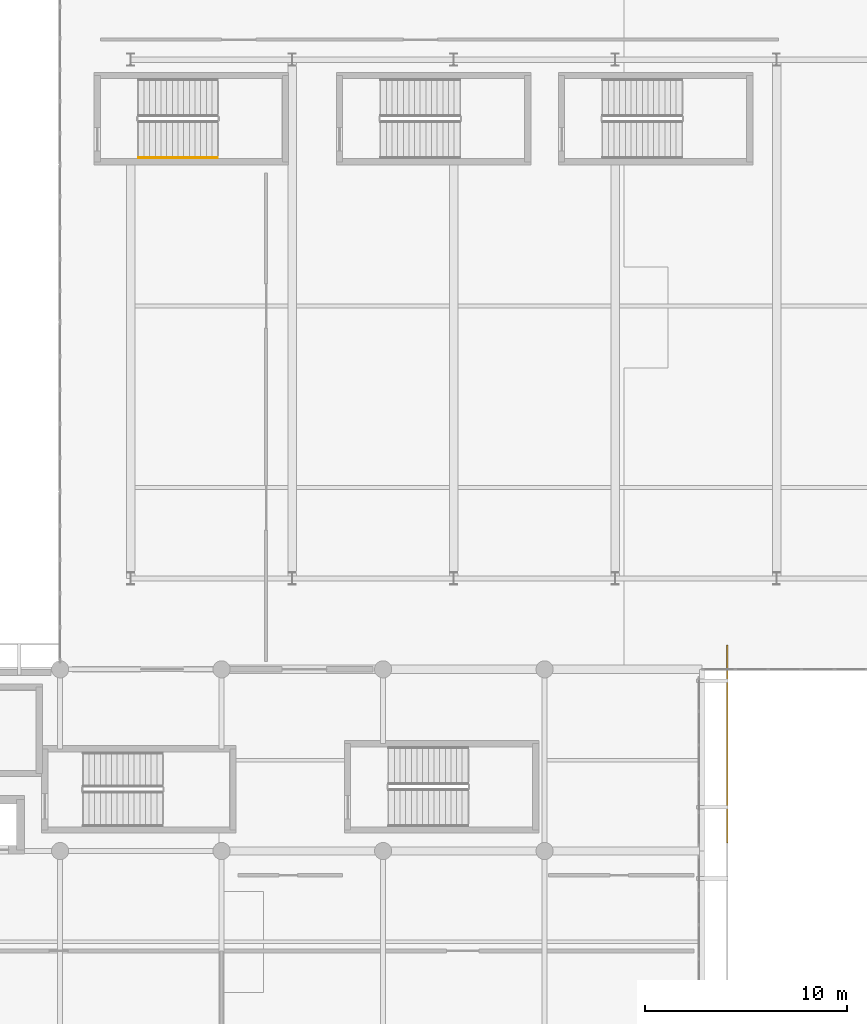
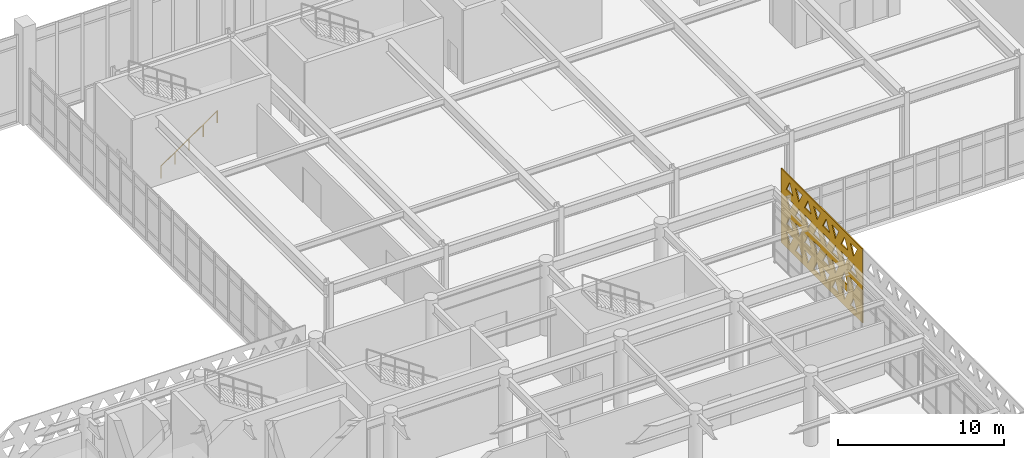
# One storey, part 79 of 84: 1 covering, 1 railing.
"""IFC4 building model written with IfcOpenShell, lengths in metres."""

from ifc_helpers import new_model, si_unit, direction, frame, origin, origin_2d, place, context, subcontext, project, spatial, polyline, circle, outline, extrude, material, layer, layer_set, type_object, element, save


model = new_model("IFC4")

# Units and contexts
model_context = context("Model", 3, precision=1e-05, world=origin(), true_north=direction((0.0, 1.0)))
body_context = subcontext(model_context, "Body", "Model", "MODEL_VIEW")
ifc_project = project(units=[si_unit("LENGTHUNIT", "METRE"), si_unit("AREAUNIT", "SQUARE_METRE"), si_unit("VOLUMEUNIT", "CUBIC_METRE"), si_unit("PLANEANGLEUNIT", "RADIAN"), si_unit("MASSUNIT", "GRAM", prefix="KILO")], contexts=[model_context])

# Site, building, storey
site_placement = place(None, origin())
site = spatial("IfcSite", under=ifc_project, at=site_placement, CompositionType="ELEMENT")
building_placement = place(site_placement, origin())
building = spatial("IfcBuilding", under=site, at=building_placement, Name="Tlacozan Convention Centre", CompositionType="ELEMENT")
storey_placement = place(building_placement, frame((0.0, 0.0, 6.0)))
storey = spatial("IfcBuildingStorey", under=building, at=storey_placement, Name="L01", CompositionType="ELEMENT", Elevation=6.0)

# Railing
ifc_material_1 = material(Name="Architectural Painted Galvanised Steel Railing", Category="steel")
railing_type = type_object("IfcRailingType", Name="Stair Wall Handrail 900", PredefinedType="HANDRAIL", material=ifc_material_1)
railing_placement = place(storey_placement, frame((91.8798828125, 52.35009765625, 0.179931640625)))
element("IfcRailing", 1, at=railing_placement, inside=storey, type_object=railing_type, Name="L01 ST-06 stair handrail 1", PredefinedType="HANDRAIL", context=body_context, shape_type="SweptSolid", body=[
    extrude(circle(Radius=0.02392578125, at=origin_2d()), frame((0.0, 0.0, 0.8759765625), z_axis=(0.823567234665, 0.0, 0.567218661528), x_axis=(0.0, 1.0, 0.0)), (0.0, 0.0, 1.0), 4.760009765625),
    extrude(circle(Radius=0.02099609375, at=origin_2d()), origin(), (0.0, 0.0, 1.0), 0.851806640625),
    extrude(circle(Radius=0.02099609375, at=origin_2d()), frame((0.97998046875, 0.0, 0.675048828125)), (0.0, 0.0, 1.0), 0.851806640625),
    extrude(circle(Radius=0.02099609375, at=origin_2d()), frame((1.9599609375, 0.0, 1.35009765625)), (0.0, 0.0, 1.0), 0.851806640625),
    extrude(circle(Radius=0.02099609375, at=origin_2d()), frame((2.940185546875, 0.0, 2.02490234375)), (0.0, 0.0, 1.0), 0.851806640625),
    extrude(circle(Radius=0.02099609375, at=origin_2d()), frame((3.920166015625, 0.0, 2.699951171875)), (0.0, 0.0, 1.0), 0.851806640625),
])

# Covering
ifc_material_2 = material(Name="Toluca Fired Terracotta Masonry Solar Screen", Category="masonry")
ifc_layer = layer(ifc_material_2, 0.080078125)
ifc_layer_set = layer_set([ifc_layer], Name="Toluca Fired Terracotta Masonry Solar Screen")
covering_type = type_object("IfcCoveringType", Name="Terracotta Triangle Solar Screen 80", PredefinedType="USERDEFINED", material=ifc_layer_set)
covering_placement = place(storey_placement, frame((121.050048828125, 18.404296875, -0.10009765625), z_axis=(0.0, 0.0, 1.0), x_axis=(0.0, 1.0, 0.0)))
element("IfcCovering", 2, at=covering_placement, inside=storey, type_object=covering_type, Name="L01 Terracotta Triangle Screen 18", ObjectType="SCREEN", PredefinedType="USERDEFINED", context=body_context, shape_type="SweptSolid", body=[
    extrude(outline(polyline([(0.0, 0.0), (9.80078125, 0.0), (9.80078125, 5.4501953125), (0.0, 5.4501953125), (0.0, 0.0)]), holes=[polyline([(0.636474609375, 0.41796875), (1.46435546875, 0.41796875), (1.05029296875, 1.1845703125), (0.636474609375, 0.41796875)]), polyline([(1.736328125, 1.1845703125), (2.564453125, 1.1845703125), (2.150390625, 0.41796875), (1.736328125, 1.1845703125)]), polyline([(2.83642578125, 0.41796875), (3.664306640625, 0.41796875), (3.25048828125, 1.1845703125), (2.83642578125, 0.41796875)]), polyline([(3.936279296875, 1.1845703125), (4.764404296875, 1.1845703125), (4.350341796875, 0.41796875), (3.936279296875, 1.1845703125)]), polyline([(5.036376953125, 0.41796875), (5.864501953125, 0.41796875), (5.450439453125, 1.1845703125), (5.036376953125, 0.41796875)]), polyline([(6.136474609375, 1.1845703125), (6.96435546875, 1.1845703125), (6.55029296875, 0.41796875), (6.136474609375, 1.1845703125)]), polyline([(7.236328125, 0.41796875), (8.064453125, 0.41796875), (7.650390625, 1.1845703125), (7.236328125, 0.41796875)]), polyline([(8.33642578125, 1.1845703125), (9.164306640625, 1.1845703125), (8.75048828125, 0.41796875), (8.33642578125, 1.1845703125)]), polyline([(0.636474609375, 2.46728515625), (1.46435546875, 2.46728515625), (1.05029296875, 1.700439453125), (0.636474609375, 2.46728515625)]), polyline([(1.736328125, 1.700439453125), (2.564453125, 1.700439453125), (2.150390625, 2.46728515625), (1.736328125, 1.700439453125)]), polyline([(2.83642578125, 2.46728515625), (3.664306640625, 2.46728515625), (3.25048828125, 1.700439453125), (2.83642578125, 2.46728515625)]), polyline([(3.936279296875, 1.700439453125), (4.764404296875, 1.700439453125), (4.350341796875, 2.46728515625), (3.936279296875, 1.700439453125)]), polyline([(5.036376953125, 2.46728515625), (5.864501953125, 2.46728515625), (5.450439453125, 1.700439453125), (5.036376953125, 2.46728515625)]), polyline([(6.136474609375, 1.700439453125), (6.96435546875, 1.700439453125), (6.55029296875, 2.46728515625), (6.136474609375, 1.700439453125)]), polyline([(7.236328125, 2.46728515625), (8.064453125, 2.46728515625), (7.650390625, 1.700439453125), (7.236328125, 2.46728515625)]), polyline([(8.33642578125, 1.700439453125), (9.164306640625, 1.700439453125), (8.75048828125, 2.46728515625), (8.33642578125, 1.700439453125)]), polyline([(0.636474609375, 2.98291015625), (1.46435546875, 2.98291015625), (1.05029296875, 3.749755859375), (0.636474609375, 2.98291015625)]), polyline([(1.736328125, 3.749755859375), (2.564453125, 3.749755859375), (2.150390625, 2.98291015625), (1.736328125, 3.749755859375)]), polyline([(2.83642578125, 2.98291015625), (3.664306640625, 2.98291015625), (3.25048828125, 3.749755859375), (2.83642578125, 2.98291015625)]), polyline([(3.936279296875, 3.749755859375), (4.764404296875, 3.749755859375), (4.350341796875, 2.98291015625), (3.936279296875, 3.749755859375)]), polyline([(5.036376953125, 2.98291015625), (5.864501953125, 2.98291015625), (5.450439453125, 3.749755859375), (5.036376953125, 2.98291015625)]), polyline([(6.136474609375, 3.749755859375), (6.96435546875, 3.749755859375), (6.55029296875, 2.98291015625), (6.136474609375, 3.749755859375)]), polyline([(7.236328125, 2.98291015625), (8.064453125, 2.98291015625), (7.650390625, 3.749755859375), (7.236328125, 2.98291015625)]), polyline([(8.33642578125, 3.749755859375), (9.164306640625, 3.749755859375), (8.75048828125, 2.98291015625), (8.33642578125, 3.749755859375)]), polyline([(0.636474609375, 5.0322265625), (1.46435546875, 5.0322265625), (1.05029296875, 4.265625), (0.636474609375, 5.0322265625)]), polyline([(1.736328125, 4.265625), (2.564453125, 4.265625), (2.150390625, 5.0322265625), (1.736328125, 4.265625)]), polyline([(2.83642578125, 5.0322265625), (3.664306640625, 5.0322265625), (3.25048828125, 4.265625), (2.83642578125, 5.0322265625)]), polyline([(3.936279296875, 4.265625), (4.764404296875, 4.265625), (4.350341796875, 5.0322265625), (3.936279296875, 4.265625)]), polyline([(5.036376953125, 5.0322265625), (5.864501953125, 5.0322265625), (5.450439453125, 4.265625), (5.036376953125, 5.0322265625)]), polyline([(6.136474609375, 4.265625), (6.96435546875, 4.265625), (6.55029296875, 5.0322265625), (6.136474609375, 4.265625)]), polyline([(7.236328125, 5.0322265625), (8.064453125, 5.0322265625), (7.650390625, 4.265625), (7.236328125, 5.0322265625)]), polyline([(8.33642578125, 4.265625), (9.164306640625, 4.265625), (8.75048828125, 5.0322265625), (8.33642578125, 4.265625)])]), frame((0.0, 0.0400390625, 0.0), z_axis=(0.0, -1.0, 0.0), x_axis=(1.0, 0.0, 0.0)), (0.0, 0.0, 1.0), 0.080078125),
])

save(model, "model.ifc")
